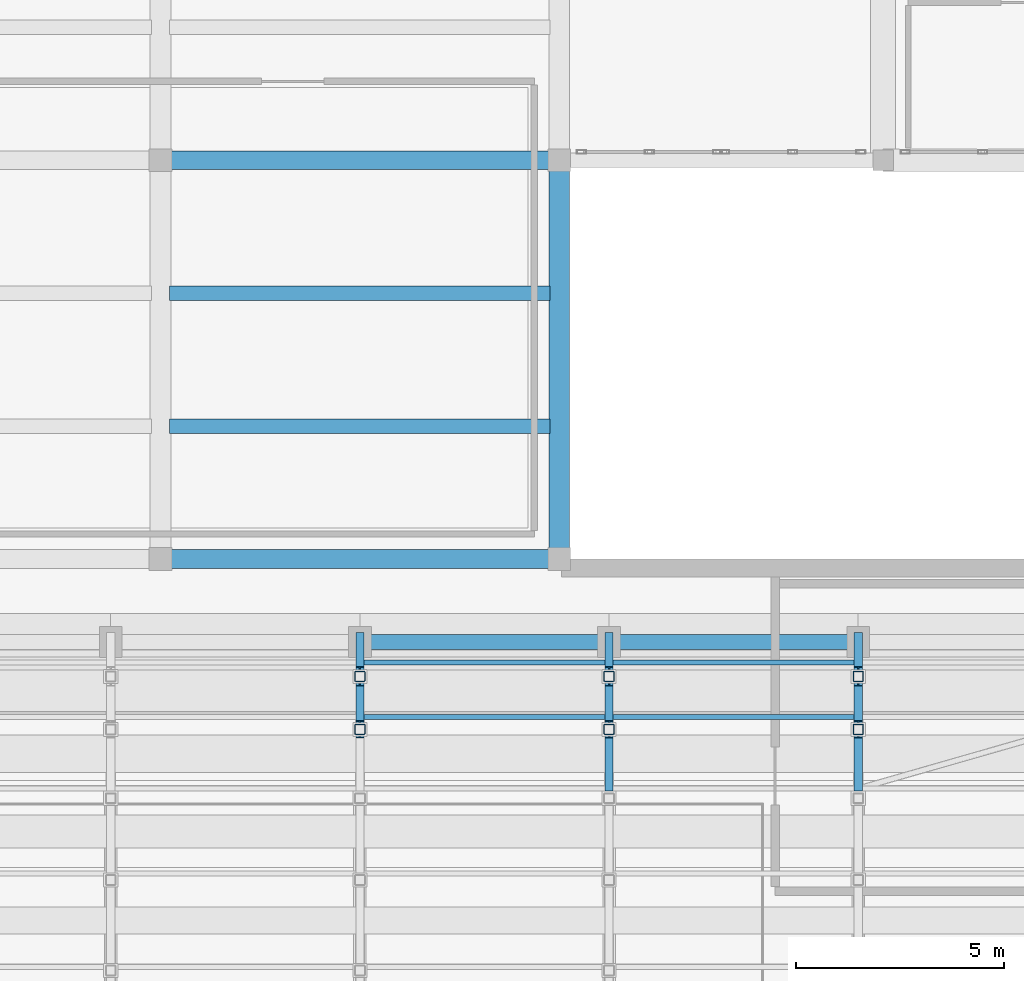
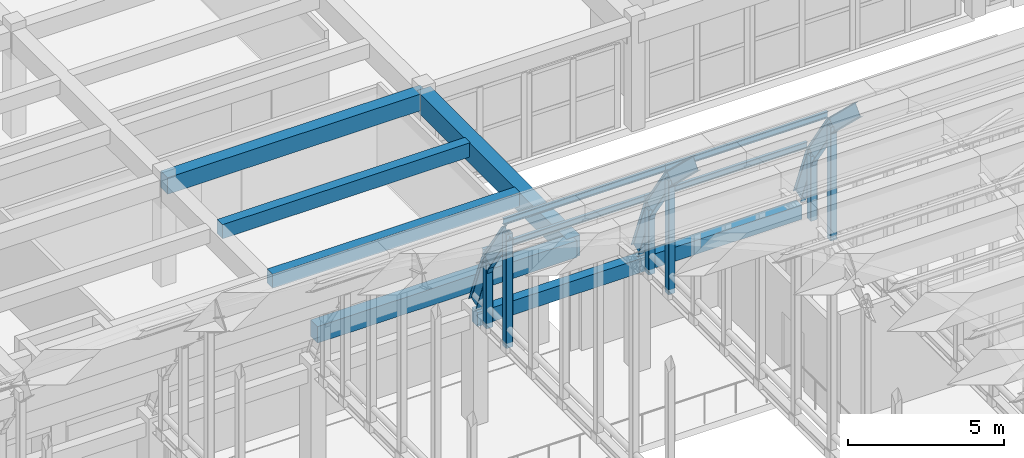
# One storey, part 19 of 91: 15 beams, 10 members.
"""IFC4 building model written with IfcOpenShell, lengths in metres."""

from ifc_helpers import new_model, si_unit, direction, frame, origin, origin_2d, place, context, subcontext, project, spatial, rectangle, hollow_rectangle, i_section, extrude, material, material_profile, profile_set, type_object, element, save


model = new_model("IFC4")

# Units and contexts
model_context = context("Model", 3, precision=1e-05, world=origin(), true_north=direction((0.0, 1.0)))
body_context = subcontext(model_context, "Body", "Model", "MODEL_VIEW")
ifc_project = project(units=[si_unit("LENGTHUNIT", "METRE"), si_unit("AREAUNIT", "SQUARE_METRE"), si_unit("VOLUMEUNIT", "CUBIC_METRE"), si_unit("PLANEANGLEUNIT", "RADIAN"), si_unit("MASSUNIT", "GRAM", prefix="KILO")], contexts=[model_context])

# Site, building, storey
site_placement = place(None, origin())
site = spatial("IfcSite", under=ifc_project, at=site_placement, CompositionType="ELEMENT")
building_placement = place(site_placement, origin())
building = spatial("IfcBuilding", under=site, at=building_placement, Name="Tarnavel Promenade Courthouse", CompositionType="ELEMENT")
storey_placement = place(building_placement, frame((0.0, 0.0, 9.89990234375)))
storey = spatial("IfcBuildingStorey", under=building, at=storey_placement, Name="L03", CompositionType="ELEMENT", Elevation=9.89990234375)

# Beams
ifc_material_1 = material(Name="Concrete C40/50", Category="concrete")
ifc_material_profile_1 = material_profile(ifc_material_1, rectangle(XDim=0.35009765625, YDim=0.550048828125, at=origin_2d()), Name="PT 350x550")
ifc_profile_set_1 = profile_set([ifc_material_profile_1], Name="Concrete C40/50")
beam_type_1 = type_object("IfcBeamType", Name="Concrete C40/50 BM-PT-350x550 (PT 350x550)", PredefinedType="JOIST", material=ifc_profile_set_1)
for number, where, z_axis, x_axis, name in (
    (1, (29.02001953125, 40.39990234375, 3.920166015625), (1.0, 0.0, 0.0), (0.0, 1.0, 0.0), "L03 Secondary Floor Rib 1833"),
    (2, (29.02001953125, 43.60009765625, 3.920166015625), (1.0, 0.0, 0.0), (0.0, 1.0, 0.0), "L03 Secondary Floor Rib 1834"),
):
    element("IfcBeam", number, at=place(storey_placement, frame(where, z_axis=z_axis, x_axis=x_axis)), inside=storey, type_object=beam_type_1, Name=name, PredefinedType="JOIST", context=body_context, shape_type="SweptSolid", body=[
        extrude(rectangle(XDim=0.35009765625, YDim=0.550048828125, at=origin_2d()), origin(), (0.0, 0.0, 1.0), 9.159912109375),
    ])
ifc_material_profile_2 = material_profile(ifc_material_1, rectangle(XDim=0.5, YDim=0.800048828125, at=origin_2d()), Name="PT 500x800")
ifc_profile_set_2 = profile_set([ifc_material_profile_2], Name="Concrete C40/50")
beam_type_2 = type_object("IfcBeamType", Name="Concrete C40/50 BM-PT-500x800 (PT 500x800)", PredefinedType="T_BEAM", material=ifc_profile_set_2)
beam_1_placement = place(storey_placement, frame((38.39990234375, 37.199951171875, 3.795166015625), z_axis=(0.0, 1.0, 0.0), x_axis=(-1.0, 0.0, 0.0)))
element("IfcBeam", 3, at=beam_1_placement, inside=storey, type_object=beam_type_2, Name="L03 Transverse Girder 1723", PredefinedType="T_BEAM", context=body_context, shape_type="SweptSolid", body=[
    extrude(rectangle(XDim=0.5, YDim=0.800048828125, at=origin_2d()), origin(), (0.0, 0.0, 1.0), 9.60009765625),
])
ifc_material_profile_3 = material_profile(ifc_material_1, rectangle(XDim=0.35009765625, YDim=0.550048828125, at=origin_2d()), Name="RC 350x550")
ifc_profile_set_3 = profile_set([ifc_material_profile_3], Name="Concrete C40/50")
beam_type_3 = type_object("IfcBeamType", Name="Concrete C40/50 BM-RC-350x550 (RC 350x550)", PredefinedType="BEAM", material=ifc_profile_set_3)
for number, where, z_axis, x_axis, name in (
    (4, (33.60009765625, 35.199951171875, 3.97021484375), (1.0, 0.0, 0.0), (0.0, 1.0, 0.0), "L03 Primary Longitudinal Beam 1553"),
    (5, (39.60009765625, 35.199951171875, 3.97021484375), (1.0, 0.0, 0.0), (0.0, 1.0, 0.0), "L03 Primary Longitudinal Beam 1554"),
):
    element("IfcBeam", number, at=place(storey_placement, frame(where, z_axis=z_axis, x_axis=x_axis)), inside=storey, type_object=beam_type_3, Name=name, PredefinedType="BEAM", context=body_context, shape_type="SweptSolid", body=[
        extrude(rectangle(XDim=0.35009765625, YDim=0.550048828125, at=origin_2d()), origin(), (0.0, 0.0, 1.0), 6.0),
    ])
ifc_material_profile_4 = material_profile(ifc_material_1, rectangle(XDim=0.449951171875, YDim=0.64990234375, at=origin_2d()), Name="RC 450x650")
ifc_profile_set_4 = profile_set([ifc_material_profile_4], Name="Concrete C40/50")
beam_type_4 = type_object("IfcBeamType", Name="Concrete C40/50 BM-RC-450x650 (RC 450x650)", PredefinedType="T_BEAM", material=ifc_profile_set_4)
for number, where, z_axis, x_axis, name in (
    (6, (28.800048828125, 37.199951171875, 3.8701171875), (1.0, 0.0, 0.0), (0.0, 1.0, 0.0), "L03 Primary Longitudinal Beam 1559"),
    (7, (28.800048828125, 46.800048828125, 3.8701171875), (1.0, 0.0, 0.0), (0.0, 1.0, 0.0), "L03 Primary Longitudinal Beam 1568"),
):
    element("IfcBeam", number, at=place(storey_placement, frame(where, z_axis=z_axis, x_axis=x_axis)), inside=storey, type_object=beam_type_4, Name=name, PredefinedType="T_BEAM", context=body_context, shape_type="SweptSolid", body=[
        extrude(rectangle(XDim=0.449951171875, YDim=0.64990234375, at=origin_2d()), origin(), (0.0, 0.0, 1.0), 9.599853515625),
    ])
ifc_material_2 = material(Name="Steel S355J2", Category="steel")
ifc_material_profile_5 = material_profile(ifc_material_2, i_section(OverallWidth=0.199951171875, OverallDepth=0.5, WebThickness=0.01025390625, FlangeThickness=0.01611328125, FilletRadius=0.02099609375, at=origin_2d()), Name="IPE 500")
ifc_profile_set_5 = profile_set([ifc_material_profile_5], Name="Steel S355J2")
beam_type_5 = type_object("IfcBeamType", Name="Steel S355J2 BM-AR-IPE500 (IPE 500)", PredefinedType="T_BEAM", material=ifc_profile_set_5)
for number, where, z_axis, x_axis, name in (
    (8, (33.60009765625, 33.095947265625, 8.5654296875), (0.0, 0.553794535045, -0.832653357019), (-1.0, 0.0, 0.0), "V4 Barrel Vault Arch Rib 05 Chord 11"),
    (9, (33.60009765625, 34.37109375, 6.648193359375), (0.0, 0.359973594692, -0.93296249181), (-1.0, 0.0, 0.0), "V4 Barrel Vault Arch Rib 05 Chord 12"),
):
    element("IfcBeam", number, at=place(storey_placement, frame(where, z_axis=z_axis, x_axis=x_axis)), inside=storey, type_object=beam_type_5, Name=name, PredefinedType="T_BEAM", context=body_context, shape_type="SweptSolid", body=[
        extrude(i_section(OverallWidth=0.199951171875, OverallDepth=0.5, WebThickness=0.01025390625, FlangeThickness=0.01611328125, FilletRadius=0.02099609375, at=origin_2d()), origin(), (0.0, 0.0, 1.0), 2.302490234375),
    ])
beam_2_placement = place(storey_placement, frame((39.60009765625, 31.435546875, 10.160400390625), z_axis=(0.0, 0.721173265551, -0.692754733693), x_axis=(-1.0, 0.0, 0.0)))
element("IfcBeam", 10, at=beam_2_placement, inside=storey, type_object=beam_type_5, Name="V4 Barrel Vault Arch Rib 06 Chord 10", PredefinedType="T_BEAM", context=body_context, shape_type="SweptSolid", body=[
    extrude(i_section(OverallWidth=0.199951171875, OverallDepth=0.5, WebThickness=0.01025390625, FlangeThickness=0.01611328125, FilletRadius=0.02099609375, at=origin_2d()), origin(), (0.0, 0.0, 1.0), 2.30224609375),
])
for number, where, z_axis, x_axis, name in (
    (11, (39.60009765625, 33.095947265625, 8.5654296875), (0.0, 0.553794535045, -0.832653357019), (-1.0, 0.0, 0.0), "V4 Barrel Vault Arch Rib 06 Chord 11"),
    (12, (39.60009765625, 34.37109375, 6.648193359375), (0.0, 0.359973594692, -0.93296249181), (-1.0, 0.0, 0.0), "V4 Barrel Vault Arch Rib 06 Chord 12"),
):
    element("IfcBeam", number, at=place(storey_placement, frame(where, z_axis=z_axis, x_axis=x_axis)), inside=storey, type_object=beam_type_5, Name=name, PredefinedType="T_BEAM", context=body_context, shape_type="SweptSolid", body=[
        extrude(i_section(OverallWidth=0.199951171875, OverallDepth=0.5, WebThickness=0.01025390625, FlangeThickness=0.01611328125, FilletRadius=0.02099609375, at=origin_2d()), origin(), (0.0, 0.0, 1.0), 2.302490234375),
    ])
beam_3_placement = place(storey_placement, frame((45.60009765625, 31.435546875, 10.160400390625), z_axis=(0.0, 0.721173265551, -0.692754733693), x_axis=(-1.0, 0.0, 0.0)))
element("IfcBeam", 13, at=beam_3_placement, inside=storey, type_object=beam_type_5, Name="V4 Barrel Vault Arch Rib 07 Chord 10", PredefinedType="T_BEAM", context=body_context, shape_type="SweptSolid", body=[
    extrude(i_section(OverallWidth=0.199951171875, OverallDepth=0.5, WebThickness=0.01025390625, FlangeThickness=0.01611328125, FilletRadius=0.02099609375, at=origin_2d()), origin(), (0.0, 0.0, 1.0), 2.30224609375),
])
for number, where, z_axis, x_axis, name in (
    (14, (45.60009765625, 33.095947265625, 8.5654296875), (0.0, 0.553794535045, -0.832653357019), (-1.0, 0.0, 0.0), "V4 Barrel Vault Arch Rib 07 Chord 11"),
    (15, (45.60009765625, 34.37109375, 6.648193359375), (0.0, 0.359973594692, -0.93296249181), (-1.0, 0.0, 0.0), "V4 Barrel Vault Arch Rib 07 Chord 12"),
):
    element("IfcBeam", number, at=place(storey_placement, frame(where, z_axis=z_axis, x_axis=x_axis)), inside=storey, type_object=beam_type_5, Name=name, PredefinedType="T_BEAM", context=body_context, shape_type="SweptSolid", body=[
        extrude(i_section(OverallWidth=0.199951171875, OverallDepth=0.5, WebThickness=0.01025390625, FlangeThickness=0.01611328125, FilletRadius=0.02099609375, at=origin_2d()), origin(), (0.0, 0.0, 1.0), 2.302490234375),
    ])

# Members
ifc_material_profile_6 = material_profile(ifc_material_2, i_section(OverallWidth=0.1201171875, OverallDepth=0.239990234375, WebThickness=0.006103515625, FlangeThickness=0.009765625, FilletRadius=0.014892578125, at=origin_2d()), Name="IPE 240")
ifc_profile_set_6 = profile_set([ifc_material_profile_6], Name="Steel S355J2")
member_type_1 = type_object("IfcMemberType", Name="Steel S355J2 MEM-PUR-IPE240 (IPE 240)", PredefinedType="PURLIN", material=ifc_profile_set_6)
for number, where, z_axis, x_axis, name in (
    (16, (33.60009765625, 33.3876953125, 8.80908203125), (1.0, 0.0, 0.0), (0.0, 1.0, 0.0), "V4 Barrel Vault Purlin 05-10"),
    (17, (33.60009765625, 34.708740234375, 6.822998046875), (1.0, 0.0, 0.0), (0.0, 1.0, 0.0), "V4 Barrel Vault Purlin 05-11"),
    (18, (39.60009765625, 33.3876953125, 8.80908203125), (1.0, 0.0, 0.0), (0.0, 1.0, 0.0), "V4 Barrel Vault Purlin 06-10"),
    (19, (39.60009765625, 34.708740234375, 6.822998046875), (1.0, 0.0, 0.0), (0.0, 1.0, 0.0), "V4 Barrel Vault Purlin 06-11"),
):
    element("IfcMember", number, at=place(storey_placement, frame(where, z_axis=z_axis, x_axis=x_axis)), inside=storey, type_object=member_type_1, Name=name, PredefinedType="PURLIN", context=body_context, shape_type="SweptSolid", body=[
        extrude(i_section(OverallWidth=0.1201171875, OverallDepth=0.239990234375, WebThickness=0.006103515625, FlangeThickness=0.009765625, FilletRadius=0.014892578125, at=origin_2d()), origin(), (0.0, 0.0, 1.0), 6.0),
    ])
ifc_material_profile_7 = material_profile(ifc_material_2, hollow_rectangle(XDim=0.25, YDim=0.25, WallThickness=0.012451171875, InnerFilletRadius=0.012451171875, OuterFilletRadius=0.02490234375, at=origin_2d()), Name="SHS 250x250x12.5")
ifc_profile_set_7 = profile_set([ifc_material_profile_7], Name="Steel S355J2")
member_type_2 = type_object("IfcMemberType", Name="Steel S355J2 MEM-STR-SHS250 (SHS 250x250x12.5)", PredefinedType="STRUT", material=ifc_profile_set_7)
member_1_placement = place(storey_placement, frame((33.60009765625, 33.095947265625, 4.1201171875), z_axis=(0.0, 0.0, 1.0), x_axis=(1.0, 0.0, 0.0)))
element("IfcMember", 20, at=member_1_placement, inside=storey, type_object=member_type_2, Name="V4 Vault Arch Web Strut 05-10", PredefinedType="STRUT", context=body_context, shape_type="SweptSolid", body=[
    extrude(hollow_rectangle(XDim=0.25, YDim=0.25, WallThickness=0.012451171875, InnerFilletRadius=0.012451171875, OuterFilletRadius=0.02490234375, at=origin_2d()), origin(), (0.0, 0.0, 1.0), 4.4453125),
])
member_2_placement = place(storey_placement, frame((33.60009765625, 34.37109375, 4.1201171875), z_axis=(0.0, 0.0, 1.0), x_axis=(1.0, 0.0, 0.0)))
element("IfcMember", 21, at=member_2_placement, inside=storey, type_object=member_type_2, Name="V4 Vault Arch Web Strut 05-11", PredefinedType="STRUT", context=body_context, shape_type="SweptSolid", body=[
    extrude(hollow_rectangle(XDim=0.25, YDim=0.25, WallThickness=0.012451171875, InnerFilletRadius=0.012451171875, OuterFilletRadius=0.02490234375, at=origin_2d()), origin(), (0.0, 0.0, 1.0), 2.528076171875),
])
member_3_placement = place(storey_placement, frame((39.60009765625, 33.095947265625, 4.1201171875), z_axis=(0.0, 0.0, 1.0), x_axis=(1.0, 0.0, 0.0)))
element("IfcMember", 22, at=member_3_placement, inside=storey, type_object=member_type_2, Name="V4 Vault Arch Web Strut 06-10", PredefinedType="STRUT", context=body_context, shape_type="SweptSolid", body=[
    extrude(hollow_rectangle(XDim=0.25, YDim=0.25, WallThickness=0.012451171875, InnerFilletRadius=0.012451171875, OuterFilletRadius=0.02490234375, at=origin_2d()), origin(), (0.0, 0.0, 1.0), 4.4453125),
])
member_4_placement = place(storey_placement, frame((39.60009765625, 34.37109375, 4.1201171875), z_axis=(0.0, 0.0, 1.0), x_axis=(1.0, 0.0, 0.0)))
element("IfcMember", 23, at=member_4_placement, inside=storey, type_object=member_type_2, Name="V4 Vault Arch Web Strut 06-11", PredefinedType="STRUT", context=body_context, shape_type="SweptSolid", body=[
    extrude(hollow_rectangle(XDim=0.25, YDim=0.25, WallThickness=0.012451171875, InnerFilletRadius=0.012451171875, OuterFilletRadius=0.02490234375, at=origin_2d()), origin(), (0.0, 0.0, 1.0), 2.528076171875),
])
member_5_placement = place(storey_placement, frame((45.60009765625, 33.095947265625, 4.1201171875), z_axis=(0.0, 0.0, 1.0), x_axis=(1.0, 0.0, 0.0)))
element("IfcMember", 24, at=member_5_placement, inside=storey, type_object=member_type_2, Name="V4 Vault Arch Web Strut 07-10", PredefinedType="STRUT", context=body_context, shape_type="SweptSolid", body=[
    extrude(hollow_rectangle(XDim=0.25, YDim=0.25, WallThickness=0.012451171875, InnerFilletRadius=0.012451171875, OuterFilletRadius=0.02490234375, at=origin_2d()), origin(), (0.0, 0.0, 1.0), 4.4453125),
])
member_6_placement = place(storey_placement, frame((45.60009765625, 34.37109375, 4.1201171875), z_axis=(0.0, 0.0, 1.0), x_axis=(1.0, 0.0, 0.0)))
element("IfcMember", 25, at=member_6_placement, inside=storey, type_object=member_type_2, Name="V4 Vault Arch Web Strut 07-11", PredefinedType="STRUT", context=body_context, shape_type="SweptSolid", body=[
    extrude(hollow_rectangle(XDim=0.25, YDim=0.25, WallThickness=0.012451171875, InnerFilletRadius=0.012451171875, OuterFilletRadius=0.02490234375, at=origin_2d()), origin(), (0.0, 0.0, 1.0), 2.528076171875),
])

save(model, "model.ifc")
